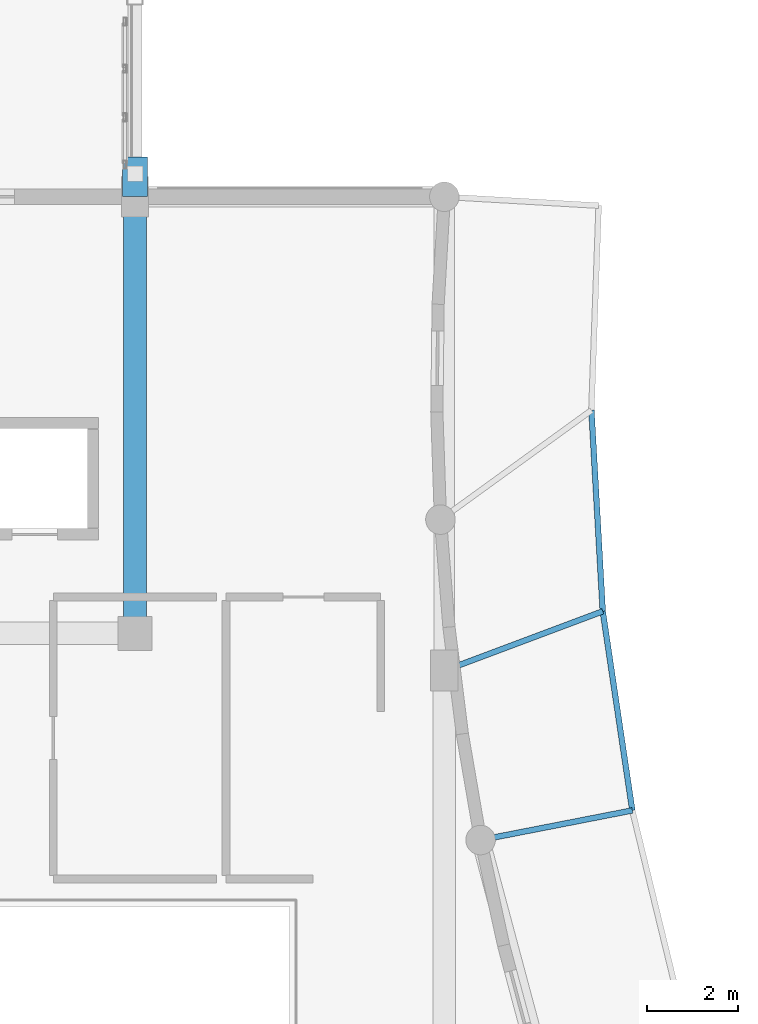
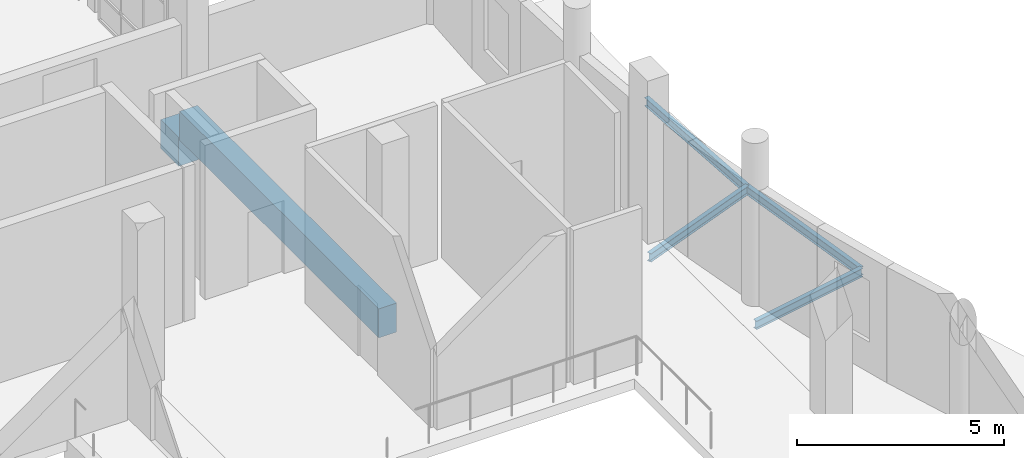
# One storey, part 15 of 106: 6 beams.
"""IFC4 building model written with IfcOpenShell, lengths in metres."""

from ifc_helpers import new_model, si_unit, direction, frame, origin, origin_2d, place, context, subcontext, project, spatial, rectangle, i_section, extrude, material, material_profile, profile_set, type_object, element, save


model = new_model("IFC4")

# Units and contexts
model_context = context("Model", 3, precision=1e-05, world=origin(), true_north=direction((0.0, 1.0)))
body_context = subcontext(model_context, "Body", "Model", "MODEL_VIEW")
ifc_project = project(units=[si_unit("LENGTHUNIT", "METRE"), si_unit("AREAUNIT", "SQUARE_METRE"), si_unit("VOLUMEUNIT", "CUBIC_METRE"), si_unit("PLANEANGLEUNIT", "RADIAN"), si_unit("MASSUNIT", "GRAM", prefix="KILO")], contexts=[model_context])

# Site, building, storey
site_placement = place(None, origin())
site = spatial("IfcSite", under=ifc_project, at=site_placement, CompositionType="ELEMENT")
building_placement = place(site_placement, origin())
building = spatial("IfcBuilding", under=site, at=building_placement, Name="Kisaragi Civic Commons", CompositionType="ELEMENT")
storey_placement = place(building_placement, frame((0.0, 0.0, 4.800048828125)))
storey = spatial("IfcBuildingStorey", under=building, at=storey_placement, Name="L01", CompositionType="ELEMENT", Elevation=4.800048828125)

# Beams
ifc_material_1 = material(Name="Concrete Fc36", Category="concrete")
ifc_material_profile_1 = material_profile(ifc_material_1, rectangle(XDim=0.550048828125, YDim=0.85009765625, at=origin_2d()), Name="RC-550x850", Category="concrete")
ifc_profile_set_1 = profile_set([ifc_material_profile_1], Name="Concrete Fc36")
beam_type_1 = type_object("IfcBeamType", Name="CB-01", PredefinedType="BEAM", material=ifc_profile_set_1)
beam_1_placement = place(storey_placement, frame((20.39990234375, 62.39990234375, -1.4951171875), z_axis=(0.0, 1.0, 0.0), x_axis=(-1.0, 0.0, 0.0)))
element("IfcBeam", 1, at=beam_1_placement, inside=storey, type_object=beam_type_1, Name="BR-V2-V1 L01 seismic corbel 70", PredefinedType="BEAM", context=body_context, shape_type="SweptSolid", body=[
    extrude(rectangle(XDim=0.550048828125, YDim=0.85009765625, at=origin_2d()), origin(), (0.0, 0.0, 1.0), 0.8701171875),
])
ifc_material_2 = material(Name="Concrete Fc30", Category="concrete")
ifc_material_profile_2 = material_profile(ifc_material_2, rectangle(XDim=0.5, YDim=0.85009765625, at=origin_2d()), Name="RC-500x850", Category="concrete")
ifc_profile_set_2 = profile_set([ifc_material_profile_2], Name="Concrete Fc30")
beam_type_2 = type_object("IfcBeamType", Name="G-02", PredefinedType="BEAM", material=ifc_profile_set_2)
beam_2_placement = place(storey_placement, frame((20.39990234375, 52.800048828125, -0.72998046875), z_axis=(0.0, 1.0, 0.0), x_axis=(-1.0, 0.0, 0.0)))
element("IfcBeam", 2, at=beam_2_placement, inside=storey, type_object=beam_type_2, Name="L01 girder G-02 149", PredefinedType="BEAM", context=body_context, shape_type="SweptSolid", body=[
    extrude(rectangle(XDim=0.5, YDim=0.85009765625, at=origin_2d()), origin(), (0.0, 0.0, 1.0), 9.599853515625),
])
ifc_material_3 = material(Name="Steel SN400 (SN400B)", Category="steel")
ifc_material_profile_3 = material_profile(ifc_material_3, i_section(OverallWidth=0.125, OverallDepth=0.25, WebThickness=0.006103515625, FlangeThickness=0.009033203125, FilletRadius=0.008056640625, at=origin_2d()), Name="H-250x125x6x9", Category="steel")
ifc_profile_set_3 = profile_set([ifc_material_profile_3], Name="Steel SN400 (SN400B)")
beam_type_3 = type_object("IfcBeamType", Name="J-05", PredefinedType="JOIST", material=ifc_profile_set_3)
beam_3_placement = place(storey_placement, frame((30.434814453125, 57.703857421875, -0.75), z_axis=(0.056264321908, -0.998415908367, 0.0), x_axis=(0.998415908367, 0.056264321908, 0.0)))
element("IfcBeam", 3, at=beam_3_placement, inside=storey, type_object=beam_type_3, Name="VER-V1 L01 edge beam 25", PredefinedType="JOIST", context=body_context, shape_type="SweptSolid", body=[
    extrude(i_section(OverallWidth=0.125, OverallDepth=0.25, WebThickness=0.006103515625, FlangeThickness=0.009033203125, FilletRadius=0.008056640625, at=origin_2d()), origin(), (0.0, 0.0, 1.0), 4.426025390625),
])
beam_4_placement = place(storey_placement, frame((30.683837890625, 53.284912109375, -0.75), z_axis=(0.146848543221, -0.989158988916, 0.0), x_axis=(0.989158988916, 0.146848543221, 0.0)))
element("IfcBeam", 4, at=beam_4_placement, inside=storey, type_object=beam_type_3, Name="VER-V1 L01 edge beam 26", PredefinedType="JOIST", context=body_context, shape_type="SweptSolid", body=[
    extrude(i_section(OverallWidth=0.125, OverallDepth=0.25, WebThickness=0.006103515625, FlangeThickness=0.009033203125, FilletRadius=0.008056640625, at=origin_2d()), origin(), (0.0, 0.0, 1.0), 4.42578125),
])
beam_5_placement = place(storey_placement, frame((30.683837890625, 53.284912109375, -0.75), z_axis=(-0.936377708423, -0.350993998764, 0.0), x_axis=(0.350993998764, -0.936377708423, 0.0)))
element("IfcBeam", 5, at=beam_5_placement, inside=storey, type_object=beam_type_3, Name="VER-V1 L01 radial tie 37", PredefinedType="JOIST", context=body_context, shape_type="SweptSolid", body=[
    extrude(i_section(OverallWidth=0.125, OverallDepth=0.25, WebThickness=0.006103515625, FlangeThickness=0.009033203125, FilletRadius=0.008056640625, at=origin_2d()), origin(), (0.0, 0.0, 1.0), 3.720703125),
])
beam_6_placement = place(storey_placement, frame((31.333740234375, 48.9072265625, -0.75), z_axis=(-0.98144909004, -0.191722934621, 0.0), x_axis=(0.191722934621, -0.98144909004, 0.0)))
element("IfcBeam", 6, at=beam_6_placement, inside=storey, type_object=beam_type_3, Name="VER-V1 L01 radial tie 38", PredefinedType="JOIST", context=body_context, shape_type="SweptSolid", body=[
    extrude(i_section(OverallWidth=0.125, OverallDepth=0.25, WebThickness=0.006103515625, FlangeThickness=0.009033203125, FilletRadius=0.008056640625, at=origin_2d()), origin(), (0.0, 0.0, 1.0), 3.39990234375),
])

save(model, "model.ifc")
